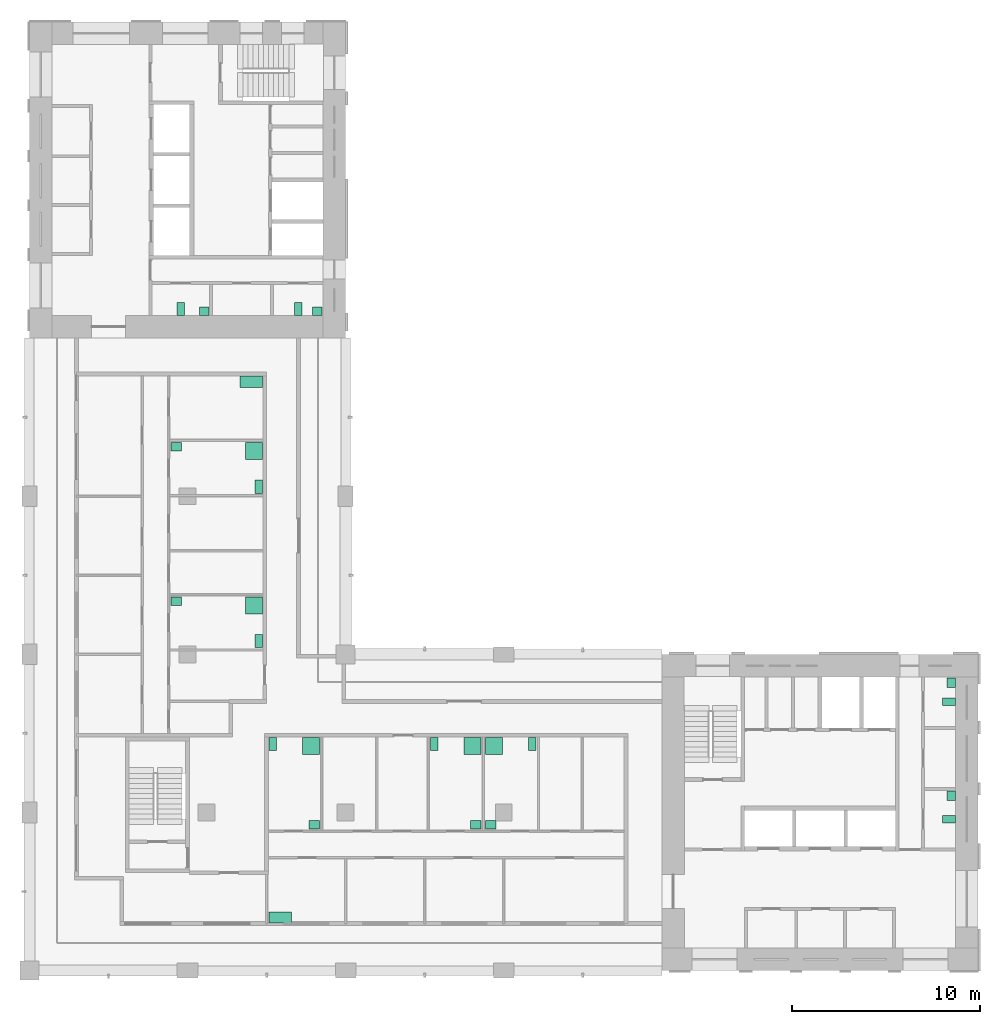
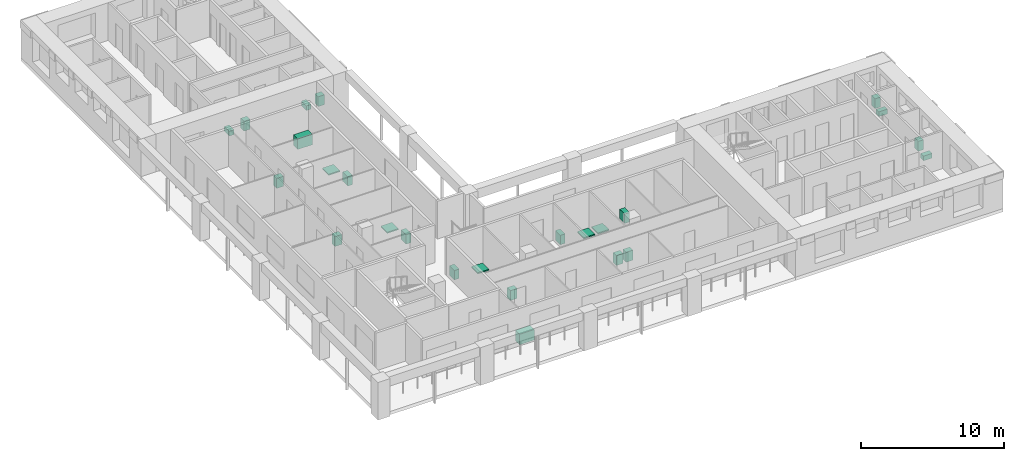
# One storey, part 10 of 10: 25 sanitary terminals.
"""IFC4 building model written with IfcOpenShell, lengths in metres."""

from ifc_helpers import new_model, si_unit, direction, frame, origin, origin_2d, place, context, subcontext, project, spatial, rectangle, extrude, material, element, save


model = new_model("IFC4")

# Units and contexts
model_context = context("Model", 3, precision=1e-05, world=origin(), true_north=direction((0.0, 1.0)))
body_context = subcontext(model_context, "Body", "Model", "MODEL_VIEW")
ifc_project = project(units=[si_unit("LENGTHUNIT", "METRE"), si_unit("AREAUNIT", "SQUARE_METRE"), si_unit("VOLUMEUNIT", "CUBIC_METRE"), si_unit("PLANEANGLEUNIT", "RADIAN"), si_unit("MASSUNIT", "GRAM", prefix="KILO")], contexts=[model_context])

# Site, building, storey
site_placement = place(None, origin())
site = spatial("IfcSite", under=ifc_project, at=site_placement, CompositionType="ELEMENT")
building_placement = place(site_placement, origin())
building = spatial("IfcBuilding", under=site, at=building_placement, Name="Vermilion Gate Residences", CompositionType="ELEMENT")
storey_placement = place(building_placement, frame((0.0, 0.0, 270.199951171875)))
storey = spatial("IfcBuildingStorey", under=building, at=storey_placement, Name="L71", CompositionType="ELEMENT", Elevation=270.199951171875)

# Sanitary terminals
ifc_material_1 = material(Name="Vitreous china")
sanitary_terminal_1_placement = place(storey_placement, frame((57.25, 16.43994140625, 0.0), z_axis=(0.0, 0.0, 1.0), x_axis=(1.0, 0.0, 0.0)))
element("IfcSanitaryTerminal", 1, at=sanitary_terminal_1_placement, inside=storey, material=ifc_material_1, Name="Toilet pan A71", PredefinedType="TOILETPAN", context=body_context, shape_type="SweptSolid", body=[
    extrude(rectangle(XDim=0.699951171875, YDim=0.39990234375, at=origin_2d()), origin(), (0.0, 0.0, 1.0), 0.39990234375),
])
sanitary_terminal_2_placement = place(storey_placement, frame((57.375, 17.679931640625, 0.0), z_axis=(0.0, 0.0, 1.0), x_axis=(1.0, 0.0, 0.0)))
element("IfcSanitaryTerminal", 2, at=sanitary_terminal_2_placement, inside=storey, material=ifc_material_1, Name="Washbasin A71", PredefinedType="WASHHANDBASIN", context=body_context, shape_type="SweptSolid", body=[
    extrude(rectangle(XDim=0.449951171875, YDim=0.5, at=origin_2d()), origin(), (0.0, 0.0, 1.0), 0.85009765625),
])
sanitary_terminal_3_placement = place(storey_placement, frame((57.25, 22.679931640625, 0.0), z_axis=(0.0, 0.0, 1.0), x_axis=(1.0, 0.0, 0.0)))
element("IfcSanitaryTerminal", 3, at=sanitary_terminal_3_placement, inside=storey, material=ifc_material_1, Name="Toilet pan A71", PredefinedType="TOILETPAN", context=body_context, shape_type="SweptSolid", body=[
    extrude(rectangle(XDim=0.699951171875, YDim=0.39990234375, at=origin_2d()), origin(), (0.0, 0.0, 1.0), 0.39990234375),
])
sanitary_terminal_4_placement = place(storey_placement, frame((57.375, 23.699951171875, 0.0), z_axis=(0.0, 0.0, 1.0), x_axis=(1.0, 0.0, 0.0)))
element("IfcSanitaryTerminal", 4, at=sanitary_terminal_4_placement, inside=storey, material=ifc_material_1, Name="Washbasin A71", PredefinedType="WASHHANDBASIN", context=body_context, shape_type="SweptSolid", body=[
    extrude(rectangle(XDim=0.449951171875, YDim=0.5, at=origin_2d()), origin(), (0.0, 0.0, 1.0), 0.85009765625),
])
sanitary_terminal_5_placement = place(storey_placement, frame((16.43994140625, 43.550048828125, 0.0), z_axis=(0.0, 0.0, 1.0), x_axis=(1.0, 0.0, 0.0)))
element("IfcSanitaryTerminal", 5, at=sanitary_terminal_5_placement, inside=storey, material=ifc_material_1, Name="Toilet pan B71", PredefinedType="TOILETPAN", context=body_context, shape_type="SweptSolid", body=[
    extrude(rectangle(XDim=0.39990234375, YDim=0.699951171875, at=origin_2d()), origin(), (0.0, 0.0, 1.0), 0.39990234375),
])
sanitary_terminal_6_placement = place(storey_placement, frame((17.679931640625, 43.425048828125, 0.0), z_axis=(0.0, 0.0, 1.0), x_axis=(1.0, 0.0, 0.0)))
element("IfcSanitaryTerminal", 6, at=sanitary_terminal_6_placement, inside=storey, material=ifc_material_1, Name="Washbasin B71", PredefinedType="WASHHANDBASIN", context=body_context, shape_type="SweptSolid", body=[
    extrude(rectangle(XDim=0.5, YDim=0.449951171875, at=origin_2d()), origin(), (0.0, 0.0, 1.0), 0.85009765625),
])
sanitary_terminal_7_placement = place(storey_placement, frame((22.679931640625, 43.550048828125, 0.0), z_axis=(0.0, 0.0, 1.0), x_axis=(1.0, 0.0, 0.0)))
element("IfcSanitaryTerminal", 7, at=sanitary_terminal_7_placement, inside=storey, material=ifc_material_1, Name="Toilet pan B71", PredefinedType="TOILETPAN", context=body_context, shape_type="SweptSolid", body=[
    extrude(rectangle(XDim=0.39990234375, YDim=0.699951171875, at=origin_2d()), origin(), (0.0, 0.0, 1.0), 0.39990234375),
])
sanitary_terminal_8_placement = place(storey_placement, frame((23.699951171875, 43.425048828125, 0.0), z_axis=(0.0, 0.0, 1.0), x_axis=(1.0, 0.0, 0.0)))
element("IfcSanitaryTerminal", 8, at=sanitary_terminal_8_placement, inside=storey, material=ifc_material_1, Name="Washbasin B71", PredefinedType="WASHHANDBASIN", context=body_context, shape_type="SweptSolid", body=[
    extrude(rectangle(XDim=0.5, YDim=0.449951171875, at=origin_2d()), origin(), (0.0, 0.0, 1.0), 0.85009765625),
])
ifc_material_2 = material(Name="Stainless steel", Category="steel")
sanitary_terminal_9_placement = place(storey_placement, frame((21.719970703125, 11.219970703125, 0.0), z_axis=(0.0, 0.0, 1.0), x_axis=(1.0, 0.0, 0.0)))
element("IfcSanitaryTerminal", 9, at=sanitary_terminal_9_placement, inside=storey, material=ifc_material_2, Name="Kitchen sink", PredefinedType="SINK", context=body_context, shape_type="SweptSolid", body=[
    extrude(rectangle(XDim=1.199951171875, YDim=0.60009765625, at=origin_2d()), origin(), (0.0, 0.0, 1.0), 0.89990234375),
])
sanitary_terminal_10_placement = place(storey_placement, frame((23.35888671875, 20.330078125, 0.0), z_axis=(0.0, 0.0, 1.0), x_axis=(1.0, 0.0, 0.0)))
element("IfcSanitaryTerminal", 10, at=sanitary_terminal_10_placement, inside=storey, material=ifc_material_1, Name="Shower tray", PredefinedType="SHOWER", context=body_context, shape_type="SweptSolid", body=[
    extrude(rectangle(XDim=0.89990234375, YDim=0.89990234375, at=origin_2d()), origin(), (0.0, 0.0, 1.0), 0.10009765625),
])
sanitary_terminal_11_placement = place(storey_placement, frame((21.320068359375, 20.429931640625, 0.0), z_axis=(0.0, 0.0, 1.0), x_axis=(1.0, 0.0, 0.0)))
element("IfcSanitaryTerminal", 11, at=sanitary_terminal_11_placement, inside=storey, material=ifc_material_1, Name="Toilet", PredefinedType="TOILETPAN", context=body_context, shape_type="SweptSolid", body=[
    extrude(rectangle(XDim=0.39990234375, YDim=0.699951171875, at=origin_2d()), origin(), (0.0, 0.0, 1.0), 0.800048828125),
])
sanitary_terminal_12_placement = place(storey_placement, frame((23.533935546875, 16.14501953125, 0.0), z_axis=(0.0, 0.0, 1.0), x_axis=(1.0, 0.0, 0.0)))
element("IfcSanitaryTerminal", 12, at=sanitary_terminal_12_placement, inside=storey, material=ifc_material_1, Name="Wash basin", PredefinedType="WASHHANDBASIN", context=body_context, shape_type="SweptSolid", body=[
    extrude(rectangle(XDim=0.550048828125, YDim=0.449951171875, at=origin_2d()), origin(), (0.0, 0.0, 1.0), 0.85009765625),
])
sanitary_terminal_13_placement = place(storey_placement, frame((31.944091796875, 20.330078125, 0.0), z_axis=(0.0, 0.0, 1.0), x_axis=(1.0, 0.0, 0.0)))
element("IfcSanitaryTerminal", 13, at=sanitary_terminal_13_placement, inside=storey, material=ifc_material_1, Name="Shower tray", PredefinedType="SHOWER", context=body_context, shape_type="SweptSolid", body=[
    extrude(rectangle(XDim=0.89990234375, YDim=0.89990234375, at=origin_2d()), origin(), (0.0, 0.0, 1.0), 0.10009765625),
])
sanitary_terminal_14_placement = place(storey_placement, frame((29.906005859375, 20.429931640625, 0.0), z_axis=(0.0, 0.0, 1.0), x_axis=(1.0, 0.0, 0.0)))
element("IfcSanitaryTerminal", 14, at=sanitary_terminal_14_placement, inside=storey, material=ifc_material_1, Name="Toilet", PredefinedType="TOILETPAN", context=body_context, shape_type="SweptSolid", body=[
    extrude(rectangle(XDim=0.39990234375, YDim=0.699951171875, at=origin_2d()), origin(), (0.0, 0.0, 1.0), 0.800048828125),
])
sanitary_terminal_15_placement = place(storey_placement, frame((32.118896484375, 16.14501953125, 0.0), z_axis=(0.0, 0.0, 1.0), x_axis=(1.0, 0.0, 0.0)))
element("IfcSanitaryTerminal", 15, at=sanitary_terminal_15_placement, inside=storey, material=ifc_material_1, Name="Wash basin", PredefinedType="WASHHANDBASIN", context=body_context, shape_type="SweptSolid", body=[
    extrude(rectangle(XDim=0.550048828125, YDim=0.449951171875, at=origin_2d()), origin(), (0.0, 0.0, 1.0), 0.85009765625),
])
sanitary_terminal_16_placement = place(storey_placement, frame((33.083984375, 20.330078125, 0.0), z_axis=(0.0, 0.0, 1.0), x_axis=(1.0, 0.0, 0.0)))
element("IfcSanitaryTerminal", 16, at=sanitary_terminal_16_placement, inside=storey, material=ifc_material_1, Name="Shower tray", PredefinedType="SHOWER", context=body_context, shape_type="SweptSolid", body=[
    extrude(rectangle(XDim=0.89990234375, YDim=0.89990234375, at=origin_2d()), origin(), (0.0, 0.0, 1.0), 0.10009765625),
])
sanitary_terminal_17_placement = place(storey_placement, frame((35.123046875, 20.429931640625, 0.0), z_axis=(0.0, 0.0, 1.0), x_axis=(1.0, 0.0, 0.0)))
element("IfcSanitaryTerminal", 17, at=sanitary_terminal_17_placement, inside=storey, material=ifc_material_1, Name="Toilet", PredefinedType="TOILETPAN", context=body_context, shape_type="SweptSolid", body=[
    extrude(rectangle(XDim=0.39990234375, YDim=0.699951171875, at=origin_2d()), origin(), (0.0, 0.0, 1.0), 0.800048828125),
])
sanitary_terminal_18_placement = place(storey_placement, frame((32.908935546875, 16.14501953125, 0.0), z_axis=(0.0, 0.0, 1.0), x_axis=(1.0, 0.0, 0.0)))
element("IfcSanitaryTerminal", 18, at=sanitary_terminal_18_placement, inside=storey, material=ifc_material_1, Name="Wash basin", PredefinedType="WASHHANDBASIN", context=body_context, shape_type="SweptSolid", body=[
    extrude(rectangle(XDim=0.550048828125, YDim=0.449951171875, at=origin_2d()), origin(), (0.0, 0.0, 1.0), 0.85009765625),
])
sanitary_terminal_19_placement = place(storey_placement, frame((20.330078125, 27.797119140625, 0.0), z_axis=(0.0, 0.0, 1.0), x_axis=(1.0, 0.0, 0.0)))
element("IfcSanitaryTerminal", 19, at=sanitary_terminal_19_placement, inside=storey, material=ifc_material_1, Name="Shower tray", PredefinedType="SHOWER", context=body_context, shape_type="SweptSolid", body=[
    extrude(rectangle(XDim=0.89990234375, YDim=0.89990234375, at=origin_2d()), origin(), (0.0, 0.0, 1.0), 0.10009765625),
])
sanitary_terminal_20_placement = place(storey_placement, frame((20.580078125, 25.903076171875, 0.0), z_axis=(0.0, 0.0, 1.0), x_axis=(1.0, 0.0, 0.0)))
element("IfcSanitaryTerminal", 20, at=sanitary_terminal_20_placement, inside=storey, material=ifc_material_1, Name="Toilet", PredefinedType="TOILETPAN", context=body_context, shape_type="SweptSolid", body=[
    extrude(rectangle(XDim=0.39990234375, YDim=0.699951171875, at=origin_2d()), origin(), (0.0, 0.0, 1.0), 0.800048828125),
])
sanitary_terminal_21_placement = place(storey_placement, frame((16.195068359375, 28.02197265625, 0.0), z_axis=(0.0, 0.0, 1.0), x_axis=(1.0, 0.0, 0.0)))
element("IfcSanitaryTerminal", 21, at=sanitary_terminal_21_placement, inside=storey, material=ifc_material_1, Name="Wash basin", PredefinedType="WASHHANDBASIN", context=body_context, shape_type="SweptSolid", body=[
    extrude(rectangle(XDim=0.550048828125, YDim=0.449951171875, at=origin_2d()), origin(), (0.0, 0.0, 1.0), 0.85009765625),
])
sanitary_terminal_22_placement = place(storey_placement, frame((20.330078125, 35.9970703125, 0.0), z_axis=(0.0, 0.0, 1.0), x_axis=(1.0, 0.0, 0.0)))
element("IfcSanitaryTerminal", 22, at=sanitary_terminal_22_placement, inside=storey, material=ifc_material_1, Name="Shower tray", PredefinedType="SHOWER", context=body_context, shape_type="SweptSolid", body=[
    extrude(rectangle(XDim=0.89990234375, YDim=0.89990234375, at=origin_2d()), origin(), (0.0, 0.0, 1.0), 0.10009765625),
])
sanitary_terminal_23_placement = place(storey_placement, frame((20.580078125, 34.10302734375, 0.0), z_axis=(0.0, 0.0, 1.0), x_axis=(1.0, 0.0, 0.0)))
element("IfcSanitaryTerminal", 23, at=sanitary_terminal_23_placement, inside=storey, material=ifc_material_1, Name="Toilet", PredefinedType="TOILETPAN", context=body_context, shape_type="SweptSolid", body=[
    extrude(rectangle(XDim=0.39990234375, YDim=0.699951171875, at=origin_2d()), origin(), (0.0, 0.0, 1.0), 0.800048828125),
])
sanitary_terminal_24_placement = place(storey_placement, frame((16.195068359375, 36.221923828125, 0.0), z_axis=(0.0, 0.0, 1.0), x_axis=(1.0, 0.0, 0.0)))
element("IfcSanitaryTerminal", 24, at=sanitary_terminal_24_placement, inside=storey, material=ifc_material_1, Name="Wash basin", PredefinedType="WASHHANDBASIN", context=body_context, shape_type="SweptSolid", body=[
    extrude(rectangle(XDim=0.550048828125, YDim=0.449951171875, at=origin_2d()), origin(), (0.0, 0.0, 1.0), 0.85009765625),
])
sanitary_terminal_25_placement = place(storey_placement, frame((20.179931640625, 39.679931640625, 0.0), z_axis=(0.0, 0.0, 1.0), x_axis=(1.0, 0.0, 0.0)))
element("IfcSanitaryTerminal", 25, at=sanitary_terminal_25_placement, inside=storey, material=ifc_material_2, Name="Kitchen sink", PredefinedType="SINK", context=body_context, shape_type="SweptSolid", body=[
    extrude(rectangle(XDim=1.199951171875, YDim=0.60009765625, at=origin_2d()), origin(), (0.0, 0.0, 1.0), 0.89990234375),
])

save(model, "model.ifc")
